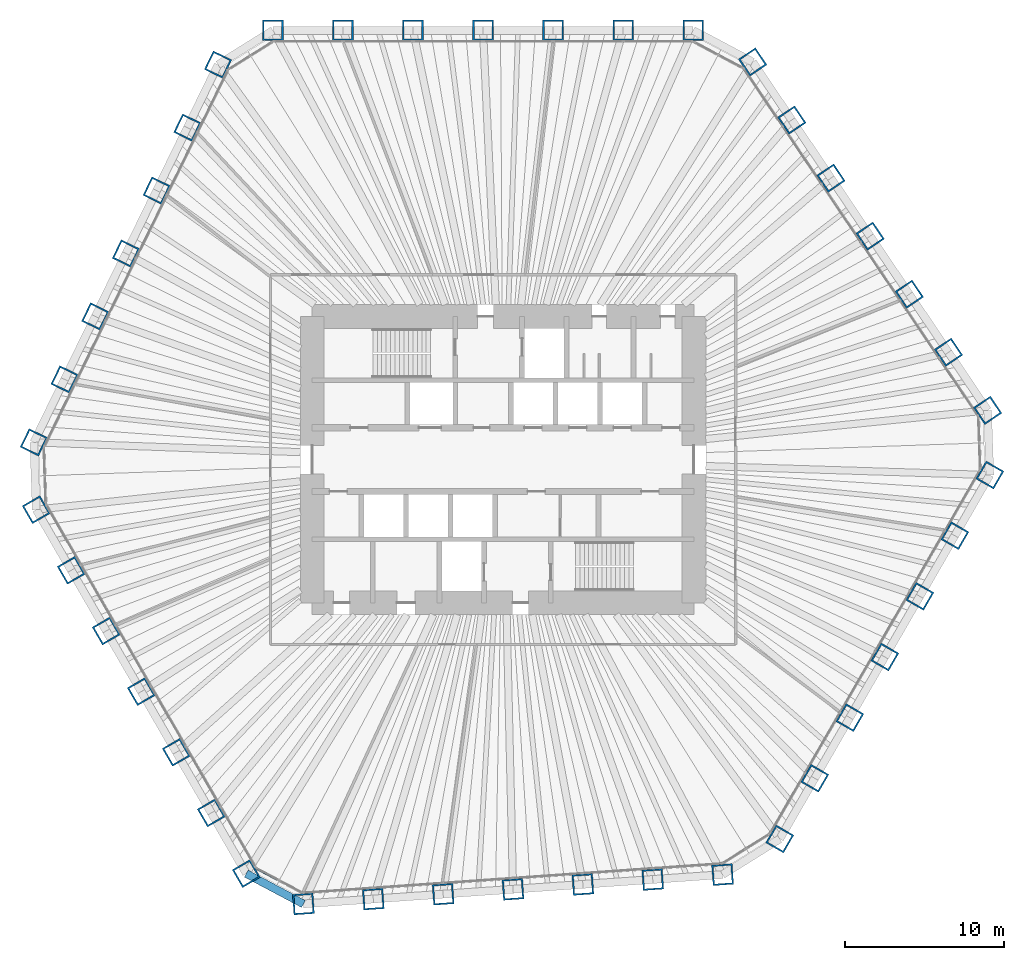
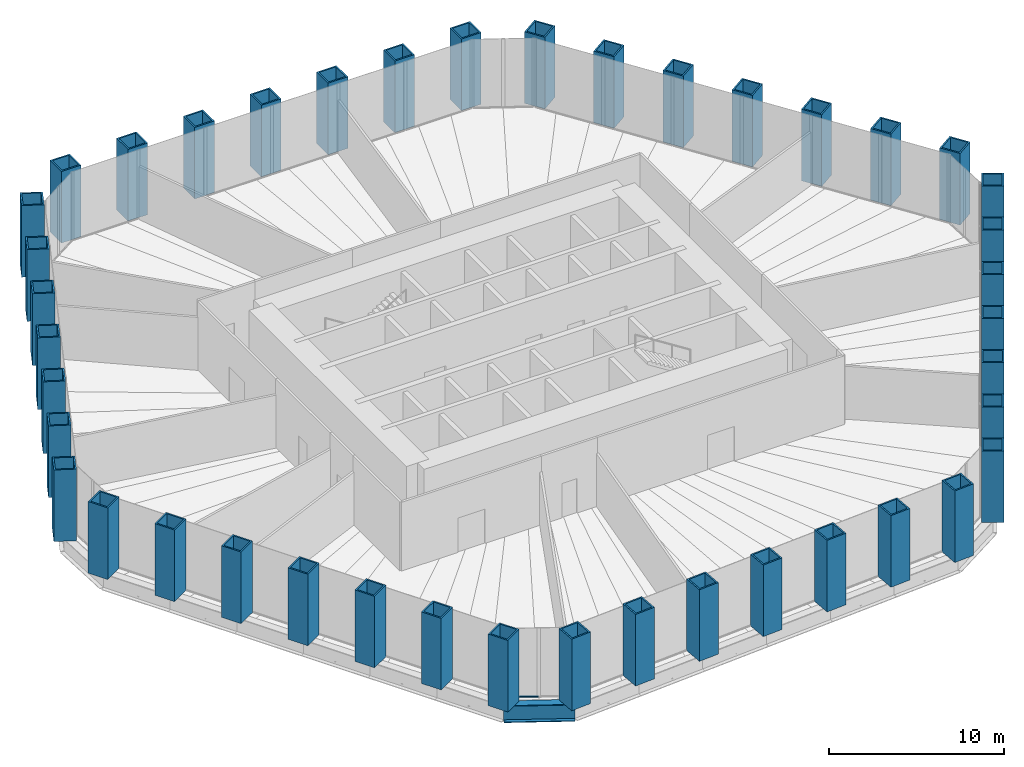
# One storey, part 1 of 13: 42 columns, 1 beam, 1 member, 1 element without a shape of its own.
"""IFC4 building model written with IfcOpenShell, lengths in metres."""

from ifc_helpers import new_model, si_unit, direction, frame, origin, origin_2d, place, context, subcontext, project, spatial, rectangle, hollow_rectangle, i_section, extrude, material, material_profile, profile_set, type_object, element, aggregate, save


model = new_model("IFC4")

# Units and contexts
model_context = context("Model", 3, precision=1e-05, world=origin(), true_north=direction((0.0, 1.0)))
body_context = subcontext(model_context, "Body", "Model", "MODEL_VIEW")
ifc_project = project(units=[si_unit("LENGTHUNIT", "METRE"), si_unit("AREAUNIT", "SQUARE_METRE"), si_unit("VOLUMEUNIT", "CUBIC_METRE"), si_unit("PLANEANGLEUNIT", "RADIAN"), si_unit("MASSUNIT", "GRAM", prefix="KILO")], contexts=[model_context])

# Site, building, storey
site_placement = place(None, origin())
site = spatial("IfcSite", under=ifc_project, at=site_placement, CompositionType="ELEMENT")
building_placement = place(site_placement, origin())
building = spatial("IfcBuilding", under=site, at=building_placement, Name="Qingtian Harvest Tower", CompositionType="ELEMENT")
storey_placement = place(building_placement, frame((0.0, 0.0, 42.0)))
storey = spatial("IfcBuildingStorey", under=building, at=storey_placement, Name="L08", CompositionType="ELEMENT", Elevation=42.0)

# Columns
ifc_material_1 = material(Name="Steel SM570MC", Category="steel")
ifc_material_profile_1 = material_profile(ifc_material_1, hollow_rectangle(XDim=1.300048828125, YDim=1.300048828125, WallThickness=0.10009765625, at=origin_2d()), Name="BOX1300x1300x100")
ifc_profile_set_1 = profile_set([ifc_material_profile_1], Name="Steel SM570MC")
column_type = type_object("IfcColumnType", Name="Tube column TC1 BOX1300x1300x100", PredefinedType="COLUMN", material=ifc_profile_set_1)
for number, where, z_axis, x_axis, name in (
    (1, (-14.471435546875, 27.0, 0.0), (0.0, 0.0, 1.0), (-1.0, 0.0, 0.0), "Tube column TC1 N0"),
    (2, (-10.06689453125, 27.0, 0.0), (0.0, 0.0, 1.0), (-1.0, 0.0, 0.0), "Tube column TC1 N1"),
    (3, (-5.662353515625, 27.0, 0.0), (0.0, 0.0, 1.0), (-1.0, 0.0, 0.0), "Tube column TC1 N2"),
    (4, (-1.257568359375, 27.0, 0.0), (0.0, 0.0, 1.0), (-1.0, 0.0, 0.0), "Tube column TC1 N3"),
    (5, (3.14697265625, 27.0, 0.0), (0.0, 0.0, 1.0), (-1.0, 0.0, 0.0), "Tube column TC1 N4"),
    (6, (7.551513671875, 27.0, 0.0), (0.0, 0.0, 1.0), (-1.0, 0.0, 0.0), "Tube column TC1 N5"),
    (7, (11.9560546875, 27.0, 0.0), (0.0, 0.0, 1.0), (-1.0, 0.0, 0.0), "Tube column TC1 N6"),
    (8, (15.6982421875, 25.01025390625, 0.0), (0.0, 0.0, 1.0), (-0.559192903471, 0.829037572555, 0.0), "Tube column TC1 NE0"),
    (9, (18.1611328125, 21.358642578125, 0.0), (0.0, 0.0, 1.0), (-0.559192903471, 0.829037572555, 0.0), "Tube column TC1 NE1"),
    (10, (20.624267578125, 17.70703125, 0.0), (0.0, 0.0, 1.0), (-0.559192903471, 0.829037572555, 0.0), "Tube column TC1 NE2"),
    (11, (23.08740234375, 14.0556640625, 0.0), (0.0, 0.0, 1.0), (-0.559192903471, 0.829037572555, 0.0), "Tube column TC1 NE3"),
    (12, (25.55029296875, 10.404052734375, 0.0), (0.0, 0.0, 1.0), (-0.559192903471, 0.829037572555, 0.0), "Tube column TC1 NE4"),
    (13, (28.013427734375, 6.75244140625, 0.0), (0.0, 0.0, 1.0), (-0.559192903471, 0.829037572555, 0.0), "Tube column TC1 NE5"),
    (14, (30.476318359375, 3.100830078125, 0.0), (0.0, 0.0, 1.0), (-0.559192903471, 0.829037572555, 0.0), "Tube column TC1 NE6"),
    (15, (30.618408203125, -0.96728515625, 0.0), (0.0, 0.0, 1.0), (0.5, 0.866025403784, 0.0), "Tube column TC1 SE0"),
    (16, (28.416015625, -4.78173828125, 0.0), (0.0, 0.0, 1.0), (0.5, 0.866025403784, 0.0), "Tube column TC1 SE1"),
    (17, (26.2138671875, -8.596435546875, 0.0), (0.0, 0.0, 1.0), (0.5, 0.866025403784, 0.0), "Tube column TC1 SE2"),
    (18, (24.011474609375, -12.410888671875, 0.0), (0.0, 0.0, 1.0), (0.5, 0.866025403784, 0.0), "Tube column TC1 SE3"),
    (19, (21.809326171875, -16.225341796875, 0.0), (0.0, 0.0, 1.0), (0.5, 0.866025403784, 0.0), "Tube column TC1 SE4"),
    (20, (19.60693359375, -20.039794921875, 0.0), (0.0, 0.0, 1.0), (0.5, 0.866025403784, 0.0), "Tube column TC1 SE5"),
    (21, (17.404541015625, -23.854248046875, 0.0), (0.0, 0.0, 1.0), (0.5, 0.866025403784, 0.0), "Tube column TC1 SE6"),
    (22, (13.810546875, -26.10009765625, 0.0), (0.0, 0.0, 1.0), (0.99756405026, 0.069756473744, 0.0), "Tube column TC1 S0"),
    (23, (9.41650390625, -26.407470703125, 0.0), (0.0, 0.0, 1.0), (0.99756405026, 0.069756473744, 0.0), "Tube column TC1 S1"),
    (24, (5.022705078125, -26.714599609375, 0.0), (0.0, 0.0, 1.0), (0.99756405026, 0.069756473744, 0.0), "Tube column TC1 S2"),
    (25, (0.62890625, -27.02197265625, 0.0), (0.0, 0.0, 1.0), (0.99756405026, 0.069756473744, 0.0), "Tube column TC1 S3"),
    (26, (-3.76513671875, -27.3291015625, 0.0), (0.0, 0.0, 1.0), (0.99756405026, 0.069756473744, 0.0), "Tube column TC1 S4"),
    (27, (-8.158935546875, -27.636474609375, 0.0), (0.0, 0.0, 1.0), (0.99756405026, 0.069756473744, 0.0), "Tube column TC1 S5"),
    (28, (-12.552734375, -27.943603515625, 0.0), (0.0, 0.0, 1.0), (0.99756405026, 0.069756473744, 0.0), "Tube column TC1 S6"),
    (29, (-16.14697265625, -26.03271484375, 0.0), (0.0, 0.0, 1.0), (0.5, -0.866025403784, 0.0), "Tube column TC1 SW0"),
    (30, (-18.349365234375, -22.21826171875, 0.0), (0.0, 0.0, 1.0), (0.5, -0.866025403784, 0.0), "Tube column TC1 SW1"),
    (31, (-20.551513671875, -18.403564453125, 0.0), (0.0, 0.0, 1.0), (0.5, -0.866025403784, 0.0), "Tube column TC1 SW2"),
    (32, (-22.75390625, -14.589111328125, 0.0), (0.0, 0.0, 1.0), (0.5, -0.866025403784, 0.0), "Tube column TC1 SW3"),
    (33, (-24.9560546875, -10.774658203125, 0.0), (0.0, 0.0, 1.0), (0.5, -0.866025403784, 0.0), "Tube column TC1 SW4"),
    (34, (-27.158447265625, -6.960205078125, 0.0), (0.0, 0.0, 1.0), (0.5, -0.866025403784, 0.0), "Tube column TC1 SW5"),
    (35, (-29.36083984375, -3.145751953125, 0.0), (0.0, 0.0, 1.0), (0.5, -0.866025403784, 0.0), "Tube column TC1 SW6"),
    (36, (-29.5087890625, 1.08984375, 0.0), (0.0, 0.0, 1.0), (-0.438371146789, -0.898794046299, 0.0), "Tube column TC1 NW0"),
    (37, (-27.577880859375, 5.048828125, 0.0), (0.0, 0.0, 1.0), (-0.438371146789, -0.898794046299, 0.0), "Tube column TC1 NW1"),
    (38, (-25.64697265625, 9.007568359375, 0.0), (0.0, 0.0, 1.0), (-0.438371146789, -0.898794046299, 0.0), "Tube column TC1 NW2"),
    (39, (-23.716064453125, 12.96630859375, 0.0), (0.0, 0.0, 1.0), (-0.438371146789, -0.898794046299, 0.0), "Tube column TC1 NW3"),
    (40, (-21.78515625, 16.92529296875, 0.0), (0.0, 0.0, 1.0), (-0.438371146789, -0.898794046299, 0.0), "Tube column TC1 NW4"),
    (41, (-19.8544921875, 20.884033203125, 0.0), (0.0, 0.0, 1.0), (-0.438371146789, -0.898794046299, 0.0), "Tube column TC1 NW5"),
    (42, (-17.923583984375, 24.8427734375, 0.0), (0.0, 0.0, 1.0), (-0.438371146789, -0.898794046299, 0.0), "Tube column TC1 NW6"),
):
    element("IfcColumn", number, at=place(storey_placement, frame(where, z_axis=z_axis, x_axis=x_axis)), inside=storey, type_object=column_type, Name=name, PredefinedType="COLUMN", context=body_context, shape_type="SweptSolid", body=[
        extrude(hollow_rectangle(XDim=1.300048828125, YDim=1.300048828125, WallThickness=0.10009765625, at=origin_2d()), origin(), (0.0, 0.0, 1.0), 5.0),
    ])

# Beam
ifc_material_2 = material(Name="Steel SM570MC", Category="steel")
ifc_material_profile_2 = material_profile(ifc_material_2, i_section(OverallWidth=0.5, OverallDepth=1.199951171875, WebThickness=0.02490234375, FlangeThickness=0.050048828125, at=origin_2d()), Name="H1200x500x25x50")
ifc_profile_set_2 = profile_set([ifc_material_profile_2], Name="Steel SM570MC")
beam_type = type_object("IfcBeamType", Name="Spandrel beam SB1 H1200x500x25x50", PredefinedType="SPANDREL", material=ifc_profile_set_2)
beam_placement = place(storey_placement, frame((-12.552734375, -27.943603515625, -0.60009765625), z_axis=(-0.882968133669, 0.469432929101, 0.0), x_axis=(-0.469432929101, -0.882968133669, 0.0)))
element("IfcBeam", 43, at=beam_placement, inside=storey, type_object=beam_type, Name="Spandrel SB1 SC", PredefinedType="SPANDREL", context=body_context, shape_type="SweptSolid", body=[
    extrude(i_section(OverallWidth=0.5, OverallDepth=1.199951171875, WebThickness=0.02490234375, FlangeThickness=0.050048828125, at=origin_2d()), origin(), (0.0, 0.0, 1.0), 4.070556640625),
])

# Curtain wall, member
ifc_material_3 = material(Name="Bronze-anodised aluminium curtain wall", Category="aluminium")
curtain_wall_type = type_object("IfcCurtainWallType", Name="Curtain wall CW2 farm reception", PredefinedType="USERDEFINED", material=ifc_material_3)
curtain_wall_placement = place(storey_placement, origin())
curtain_wall = element("IfcCurtainWall", 44, at=curtain_wall_placement, inside=storey, type_object=curtain_wall_type, Name="Curtain wall CW2 L08 SC", ObjectType="RECESSED CURTAIN WALL", PredefinedType="USERDEFINED")
ifc_material_4 = material(Name="Bronze-anodised aluminium transom", Category="aluminium")
ifc_material_profile_3 = material_profile(ifc_material_4, rectangle(XDim=0.14990234375, YDim=0.06494140625, at=origin_2d()), Name="AL 65x150")
ifc_profile_set_3 = profile_set([ifc_material_profile_3], Name="Bronze-anodised aluminium transom")
member_type = type_object("IfcMemberType", Name="Transom CWT 65x150", PredefinedType="USERDEFINED", material=ifc_profile_set_3)
member_placement = place(storey_placement, frame((-14.099853515625, -26.44873046875, 0.032470703125), z_axis=(-0.882960338349, 0.46944759122, 0.0), x_axis=(-0.46944759122, -0.882960338349, 0.0)))
member = element("IfcMember", 45, at=member_placement, type_object=member_type, Name="CW2 transom 2.1", ObjectType="TRANSOM", PredefinedType="USERDEFINED", context=body_context, shape_type="SweptSolid", body=[
    extrude(rectangle(XDim=0.14990234375, YDim=0.06494140625, at=origin_2d()), origin(), (0.0, 0.0, 1.0), 1.56689453125),
])
aggregate(curtain_wall, [member])

save(model, "model.ifc")
